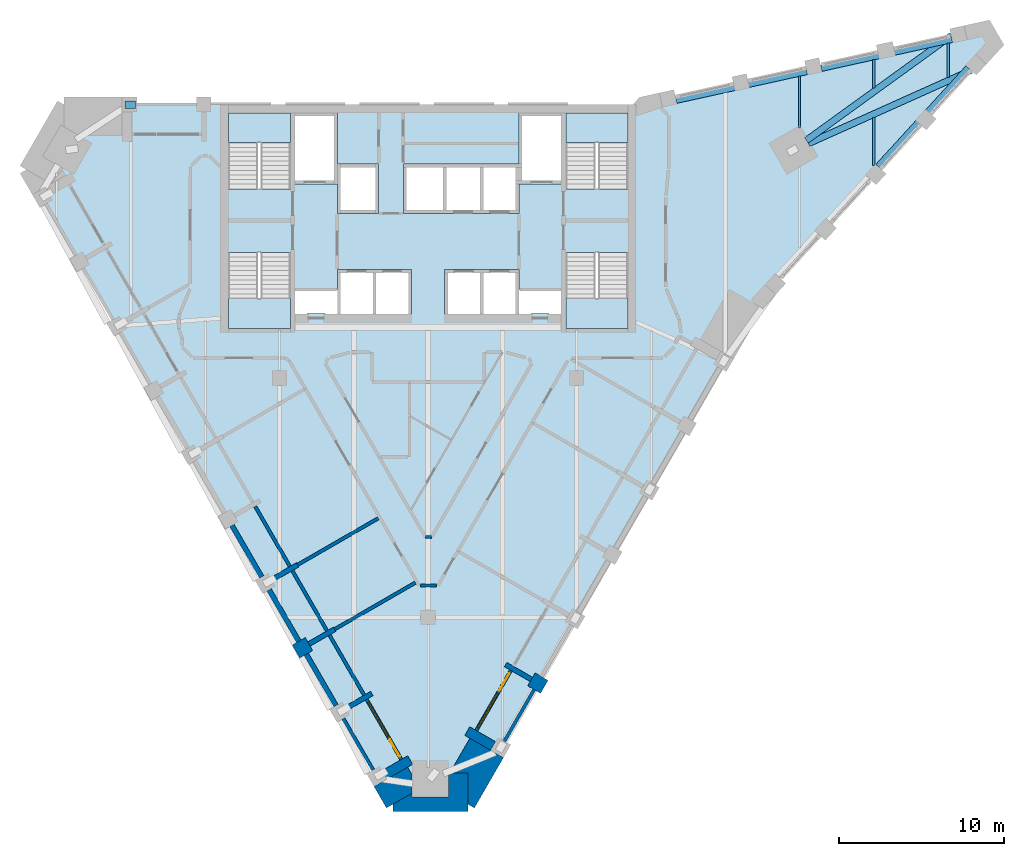
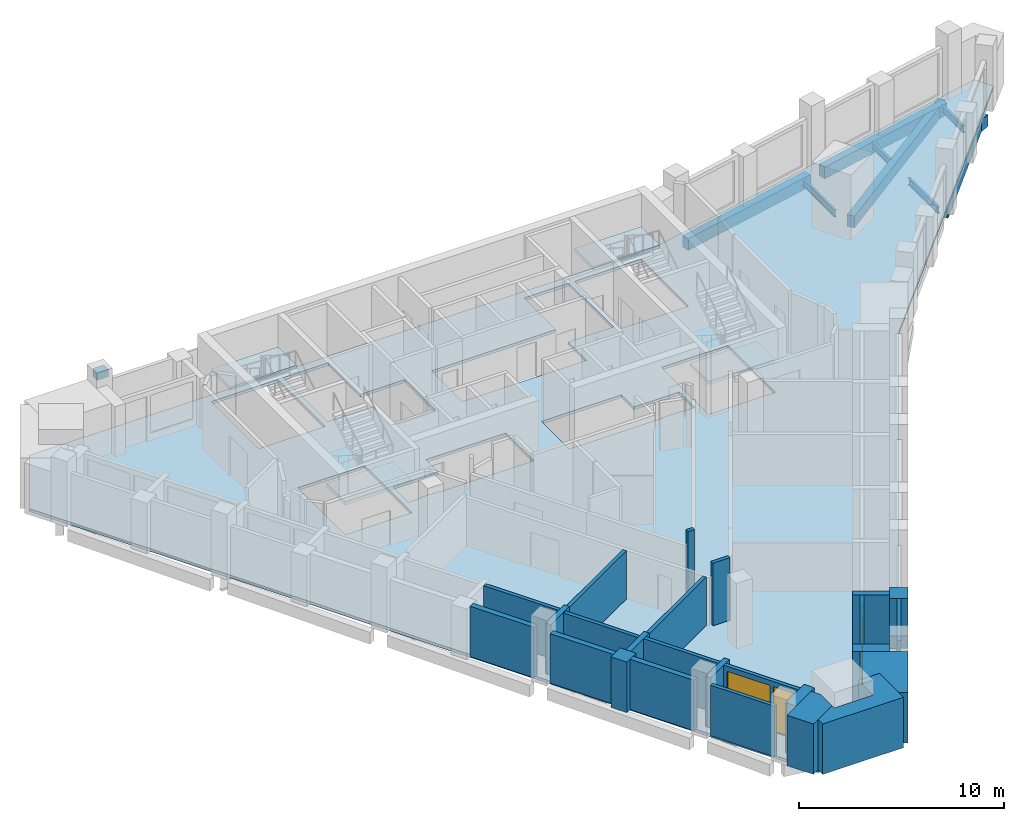
# One storey, part 2 of 8: 25 walls, 10 beams, 5 slabs, 2 doors, 2 windows, 4 openings, 4 elements without a shape of their own.
"""IFC4 building model written with IfcOpenShell, lengths in metres."""

from ifc_helpers import new_model, si_unit, direction, frame, frame_2d, origin, origin_2d, place, context, subcontext, project, spatial, polyline, rectangle, i_section, outline, extrude, material, layer, layer_set, material_profile, profile_set, type_object, element, fill, aggregate, save


model = new_model("IFC4")

# Units and contexts
model_context = context("Model", 3, precision=1e-05, world=origin(), true_north=direction((0.0, 1.0)))
body_context = subcontext(model_context, "Body", "Model", "MODEL_VIEW")
ifc_project = project(units=[si_unit("LENGTHUNIT", "METRE"), si_unit("AREAUNIT", "SQUARE_METRE"), si_unit("VOLUMEUNIT", "CUBIC_METRE"), si_unit("PLANEANGLEUNIT", "RADIAN"), si_unit("MASSUNIT", "GRAM", prefix="KILO")], contexts=[model_context])

# Site, building, storey
site_placement = place(None, origin())
site = spatial("IfcSite", under=ifc_project, at=site_placement, CompositionType="ELEMENT")
building_placement = place(site_placement, origin())
building = spatial("IfcBuilding", under=site, at=building_placement, Name="Calabash Gate Tower", CompositionType="ELEMENT")
storey_placement = place(building_placement, frame((0.0, 0.0, 267.699951171875)))
storey = spatial("IfcBuildingStorey", under=building, at=storey_placement, Name="L64", CompositionType="ELEMENT", Elevation=267.699951171875)

# Beams
ifc_material_1 = material(Name="Concrete C80/95", Category="concrete")
ifc_material_profile_1 = material_profile(ifc_material_1, rectangle(XDim=0.449951171875, YDim=0.449951171875, at=origin_2d()))
ifc_profile_set_1 = profile_set([ifc_material_profile_1], Name="Concrete C80/95")
beam_type_1 = type_object("IfcBeamType", Name="Column offset link RC 450x450 Concrete C80/95", PredefinedType="BEAM", material=ifc_profile_set_1)
beam_1_placement = place(storey_placement, frame((-18.35205078125, 19.052978515625, 3.504150390625), z_axis=(1.0, 0.0, 0.0), x_axis=(0.0, 1.0, 0.0)))
element("IfcBeam", 1, at=beam_1_placement, inside=storey, type_object=beam_type_1, Name="Column offset link L64 P31", PredefinedType="BEAM", context=body_context, shape_type="SweptSolid", body=[
    extrude(rectangle(XDim=0.449951171875, YDim=0.449951171875, at=origin_2d()), origin(), (0.0, 0.0, 1.0), 0.630126953125),
])
ifc_material_2 = material(Name="Concrete C50/60", Category="concrete")
ifc_material_profile_2 = material_profile(ifc_material_2, rectangle(XDim=0.39990234375, YDim=0.699951171875, at=origin_2d()))
ifc_profile_set_2 = profile_set([ifc_material_profile_2], Name="Concrete C50/60")
beam_type_2 = type_object("IfcBeamType", Name="Edge beam RC 400x700 Concrete C50/60", PredefinedType="BEAM", material=ifc_profile_set_2)
beam_2_placement = place(storey_placement, frame((27.260009765625, 15.29296875, -0.52001953125), z_axis=(0.67486440312, 0.737941757459, 0.0), x_axis=(-0.737941757459, 0.67486440312, 0.0)))
element("IfcBeam", 2, at=beam_2_placement, inside=storey, type_object=beam_type_2, Name="Edge beam L64 11", PredefinedType="BEAM", context=body_context, shape_type="SweptSolid", body=[
    extrude(rectangle(XDim=0.39990234375, YDim=0.699951171875, at=origin_2d()), origin(), (0.0, 0.0, 1.0), 8.100830078125),
])
beam_3_placement = place(storey_placement, frame((32.902099609375, 21.126953125, -0.52001953125), z_axis=(-0.91234672257, -0.409418438539, 0.0), x_axis=(0.409418438539, -0.91234672257, 0.0)))
element("IfcBeam", 3, at=beam_3_placement, inside=storey, type_object=beam_type_2, Name="Edge beam L64 12", PredefinedType="BEAM", context=body_context, shape_type="SweptSolid", body=[
    extrude(rectangle(XDim=0.39990234375, YDim=0.699951171875, at=origin_2d()), origin(), (0.0, 0.0, 1.0), 10.8271484375),
])
beam_4_placement = place(storey_placement, frame((22.9169921875, 16.8798828125, -0.52001953125), z_axis=(0.80994802029, 0.586501666177, 0.0), x_axis=(-0.586501666177, 0.80994802029, 0.0)))
element("IfcBeam", 4, at=beam_4_placement, inside=storey, type_object=beam_type_2, Name="Edge beam L64 13", PredefinedType="BEAM", context=body_context, shape_type="SweptSolid", body=[
    extrude(rectangle(XDim=0.39990234375, YDim=0.699951171875, at=origin_2d()), origin(), (0.0, 0.0, 1.0), 10.847412109375),
])
beam_5_placement = place(storey_placement, frame((31.72705078125, 23.006103515625, -0.52001953125), z_axis=(-0.976492437334, -0.215551663945, 0.0), x_axis=(0.215551663945, -0.976492437334, 0.0)))
element("IfcBeam", 5, at=beam_5_placement, inside=storey, type_object=beam_type_2, Name="Edge beam L64 14", PredefinedType="BEAM", context=body_context, shape_type="SweptSolid", body=[
    extrude(rectangle(XDim=0.39990234375, YDim=0.699951171875, at=origin_2d()), origin(), (0.0, 0.0, 1.0), 8.1005859375),
])
beam_6_placement = place(storey_placement, frame((22.93603515625, 21.06591796875, -0.52001953125), z_axis=(-0.976517152373, -0.215439669332, 0.0), x_axis=(0.215439669332, -0.976517152373, 0.0)))
element("IfcBeam", 6, at=beam_6_placement, inside=storey, type_object=beam_type_2, Name="Edge beam L64 15", PredefinedType="BEAM", context=body_context, shape_type="SweptSolid", body=[
    extrude(rectangle(XDim=0.39990234375, YDim=0.699951171875, at=origin_2d()), origin(), (0.0, 0.0, 1.0), 8.09912109375),
])
ifc_material_3 = material(Name="Steel ASTM A992 Gr50", Category="steel")
ifc_material_profile_3 = material_profile(ifc_material_3, i_section(OverallWidth=0.1396484375, OverallDepth=0.398681640625, WebThickness=0.00634765625, FlangeThickness=0.0087890625, FilletRadius=0.01025390625, at=origin_2d()))
ifc_profile_set_3 = profile_set([ifc_material_profile_3], Name="Steel ASTM A992 Gr50")
beam_type_3 = type_object("IfcBeamType", Name="Floor beam W16x26 ASTM A992 Gr50", PredefinedType="BEAM", material=ifc_profile_set_3)
beam_7_placement = place(storey_placement, frame((22.5, 17.635986328125, -0.368896484375), z_axis=(0.0, 1.0, 0.0), x_axis=(-1.0, 0.0, 0.0)))
element("IfcBeam", 7, at=beam_7_placement, inside=storey, type_object=beam_type_3, Name="Floor beam L64 17", PredefinedType="BEAM", context=body_context, shape_type="SweptSolid", body=[
    extrude(i_section(OverallWidth=0.1396484375, OverallDepth=0.398681640625, WebThickness=0.00634765625, FlangeThickness=0.0087890625, FilletRadius=0.01025390625, at=origin_2d()), origin(), (0.0, 0.0, 1.0), 3.1611328125),
])
beam_8_placement = place(storey_placement, frame((27.0, 15.35693359375, -0.368896484375), z_axis=(0.0, 1.0, 0.0), x_axis=(-1.0, 0.0, 0.0)))
element("IfcBeam", 8, at=beam_8_placement, inside=storey, type_object=beam_type_3, Name="Floor beam L64 18", PredefinedType="BEAM", context=body_context, shape_type="SweptSolid", body=[
    extrude(i_section(OverallWidth=0.1396484375, OverallDepth=0.398681640625, WebThickness=0.00634765625, FlangeThickness=0.0087890625, FilletRadius=0.01025390625, at=origin_2d()), origin(), (0.0, 0.0, 1.0), 2.923095703125),
])
beam_9_placement = place(storey_placement, frame((27.0, 20.052001953125, -0.368896484375), z_axis=(0.0, 1.0, 0.0), x_axis=(-1.0, 0.0, 0.0)))
element("IfcBeam", 9, at=beam_9_placement, inside=storey, type_object=beam_type_3, Name="Floor beam L64 19", PredefinedType="BEAM", context=body_context, shape_type="SweptSolid", body=[
    extrude(i_section(OverallWidth=0.1396484375, OverallDepth=0.398681640625, WebThickness=0.00634765625, FlangeThickness=0.0087890625, FilletRadius=0.01025390625, at=origin_2d()), origin(), (0.0, 0.0, 1.0), 1.738037109375),
])
beam_10_placement = place(storey_placement, frame((31.5, 20.693115234375, -0.368896484375), z_axis=(0.0, 1.0, 0.0), x_axis=(-1.0, 0.0, 0.0)))
element("IfcBeam", 10, at=beam_10_placement, inside=storey, type_object=beam_type_3, Name="Floor beam L64 20", PredefinedType="BEAM", context=body_context, shape_type="SweptSolid", body=[
    extrude(i_section(OverallWidth=0.1396484375, OverallDepth=0.398681640625, WebThickness=0.00634765625, FlangeThickness=0.0087890625, FilletRadius=0.01025390625, at=origin_2d()), origin(), (0.0, 0.0, 1.0), 2.08984375),
])

# Slab
ifc_material_4 = material(Name="Concrete C40/50", Category="concrete")
ifc_layer_1 = layer(ifc_material_4, 0.169921875)
ifc_layer_set_1 = layer_set([ifc_layer_1], Name="Composite floor slab 170 Concrete C40/50")
slab_type_1 = type_object("IfcSlabType", Name="Composite floor slab 170 Concrete C40/50", PredefinedType="FLOOR", material=ifc_layer_set_1)
slab_1_placement = place(storey_placement, frame((0.0, 0.0, -0.169921875)))
element("IfcSlab", 11, at=slab_1_placement, inside=storey, type_object=slab_type_1, Name="Floor slab L64", PredefinedType="FLOOR", context=body_context, shape_type="SweptSolid", body=[
    extrude(outline(polyline([(-24.33251953125, 15.11376953125), (-22.058349609375, 19.052490234375), (12.88134765625, 19.052490234375), (33.783935546875, 23.664794921875), (34.326904296875, 22.724365234375), (19.88134765625, 6.92822265625), (2.411376953125, -23.33056640625), (-2.136474609375, -23.33056640625), (-24.33251953125, 15.11376953125)]), holes=[polyline([(-1.0, 9.052490234375), (-3.25, 9.052490234375), (-5.5, 9.052490234375), (-5.5, 7.8525390625), (-8.050048828125, 7.8525390625), (-8.050048828125, 6.3525390625), (-7.324951171875, 6.3525390625), (-7.324951171875, 6.402587890625), (-6.22509765625, 6.402587890625), (-6.22509765625, 6.3525390625), (-5.5, 6.3525390625), (-3.25, 6.3525390625), (-1.0, 6.3525390625), (-1.0, 9.052490234375)]), polyline([(3.25, 6.3525390625), (5.5, 6.3525390625), (6.22509765625, 6.3525390625), (6.22509765625, 6.402587890625), (7.324951171875, 6.402587890625), (7.324951171875, 6.3525390625), (8.050048828125, 6.3525390625), (8.050048828125, 7.8525390625), (5.5, 7.8525390625), (5.5, 9.052490234375), (3.25, 9.052490234375), (1.0, 9.052490234375), (1.0, 6.3525390625), (3.25, 6.3525390625)]), polyline([(-5.5, 14.252685546875), (-5.5, 12.45263671875), (-3.0, 12.45263671875), (-3.0, 15.45263671875), (-5.5, 15.45263671875), (-5.5, 18.552490234375), (-8.050048828125, 18.552490234375), (-8.050048828125, 14.252685546875), (-5.5, 14.252685546875)]), polyline([(1.0, 15.45263671875), (-1.5, 15.45263671875), (-1.5, 12.45263671875), (1.0, 12.45263671875), (3.25, 12.45263671875), (5.5, 12.45263671875), (5.5, 14.252685546875), (8.050048828125, 14.252685546875), (8.050048828125, 18.552490234375), (5.5, 18.552490234375), (5.5, 15.45263671875), (3.25, 15.45263671875), (1.0, 15.45263671875)]), polyline([(-8.35009765625, 18.552490234375), (-12.10009765625, 18.552490234375), (-12.10009765625, 13.95263671875), (-8.35009765625, 13.95263671875), (-8.35009765625, 18.552490234375)]), polyline([(-12.10009765625, 10.1025390625), (-12.10009765625, 5.502685546875), (-8.35009765625, 5.502685546875), (-8.35009765625, 10.1025390625), (-12.10009765625, 10.1025390625)]), polyline([(8.35009765625, 13.95263671875), (12.10009765625, 13.95263671875), (12.10009765625, 18.552490234375), (8.35009765625, 18.552490234375), (8.35009765625, 13.95263671875)]), polyline([(12.10009765625, 5.502685546875), (12.10009765625, 10.1025390625), (8.35009765625, 10.1025390625), (8.35009765625, 5.502685546875), (12.10009765625, 5.502685546875)])]), origin(), (0.0, 0.0, 1.0), 0.169921875),
])

# Stair, slab
ifc_material_5 = material(Name="Concrete C40/50", Category="concrete")
stair_type = type_object("IfcStairType", Name="Exit stair 22 risers of 177.3 mm", PredefinedType="HALF_TURN_STAIR", material=ifc_material_5)
stair_1_placement = place(storey_placement, origin())
stair_1 = element("IfcStair", 12, at=stair_1_placement, inside=storey, type_object=stair_type, Name="L64 Exit stair ST1", PredefinedType="HALF_TURN_STAIR")
ifc_material_6 = material(Name="Concrete C40/50", Category="concrete")
ifc_layer_2 = layer(ifc_material_6, 0.199951171875)
ifc_layer_set_2 = layer_set([ifc_layer_2], Name="Stair landing SL200")
slab_type_2 = type_object("IfcSlabType", Name="Stair landing SL200", PredefinedType="LANDING", material=ifc_layer_set_2)
slab_2_placement = place(storey_placement, frame((0.0, 0.0, 1.75)))
slab_2 = element("IfcSlab", 13, at=slab_2_placement, type_object=slab_type_2, Name="ST1 landing 1", PredefinedType="LANDING", context=body_context, shape_type="SweptSolid", body=[
    extrude(outline(polyline([(-8.35009765625, 16.74267578125), (-8.35009765625, 18.552490234375), (-12.10009765625, 18.552490234375), (-12.10009765625, 16.74267578125), (-8.35009765625, 16.74267578125)])), origin(), (0.0, 0.0, 1.0), 0.199951171875),
])
aggregate(stair_1, [slab_2])

stair_2_placement = place(storey_placement, origin())
stair_2 = element("IfcStair", 14, at=stair_2_placement, inside=storey, type_object=stair_type, Name="L64 Exit stair ST2", PredefinedType="HALF_TURN_STAIR")
slab_3_placement = place(storey_placement, frame((0.0, 0.0, 1.75)))
slab_3 = element("IfcSlab", 15, at=slab_3_placement, type_object=slab_type_2, Name="ST2 landing 1", PredefinedType="LANDING", context=body_context, shape_type="SweptSolid", body=[
    extrude(outline(polyline([(-12.10009765625, 7.3125), (-12.10009765625, 5.502685546875), (-8.35009765625, 5.502685546875), (-8.35009765625, 7.3125), (-12.10009765625, 7.3125)])), origin(), (0.0, 0.0, 1.0), 0.199951171875),
])
aggregate(stair_2, [slab_3])

stair_3_placement = place(storey_placement, origin())
stair_3 = element("IfcStair", 16, at=stair_3_placement, inside=storey, type_object=stair_type, Name="L64 Exit stair ST3", PredefinedType="HALF_TURN_STAIR")
slab_4_placement = place(storey_placement, frame((0.0, 0.0, 1.75)))
slab_4 = element("IfcSlab", 17, at=slab_4_placement, type_object=slab_type_2, Name="ST3 landing 1", PredefinedType="LANDING", context=body_context, shape_type="SweptSolid", body=[
    extrude(outline(polyline([(12.10009765625, 16.74267578125), (12.10009765625, 18.552490234375), (8.35009765625, 18.552490234375), (8.35009765625, 16.74267578125), (12.10009765625, 16.74267578125)])), origin(), (0.0, 0.0, 1.0), 0.199951171875),
])
aggregate(stair_3, [slab_4])

stair_4_placement = place(storey_placement, origin())
stair_4 = element("IfcStair", 18, at=stair_4_placement, inside=storey, type_object=stair_type, Name="L64 Exit stair ST4", PredefinedType="HALF_TURN_STAIR")
slab_5_placement = place(storey_placement, frame((0.0, 0.0, 1.75)))
slab_5 = element("IfcSlab", 19, at=slab_5_placement, type_object=slab_type_2, Name="ST4 landing 1", PredefinedType="LANDING", context=body_context, shape_type="SweptSolid", body=[
    extrude(outline(polyline([(8.35009765625, 7.3125), (8.35009765625, 5.502685546875), (12.10009765625, 5.502685546875), (12.10009765625, 7.3125), (8.35009765625, 7.3125)])), origin(), (0.0, 0.0, 1.0), 0.199951171875),
])
aggregate(stair_4, [slab_5])

# Walls
ifc_material_7 = material(Name="Terracotta brick masonry, exposed face", Category="masonry")
ifc_layer_3 = layer(ifc_material_7, 2.35009765625)
ifc_layer_set_3 = layer_set([ifc_layer_3], Name="Brick corner mass wall 2350")
wall_type_1 = type_object("IfcWallType", Name="Brick corner mass wall 2350", PredefinedType="SOLIDWALL", material=ifc_layer_set_3)
wall_1_placement = place(storey_placement, origin())
element("IfcWall", 20, at=wall_1_placement, inside=storey, type_object=wall_type_1, Name="Brick corner pier S18 1a", PredefinedType="SOLIDWALL", context=body_context, shape_type="SweptSolid", body=[
    extrude(outline(polyline([(-1.239013671875, -21.085205078125), (-3.274169921875, -22.26025390625), (-2.5263671875, -23.5556640625), (-0.962890625, -22.653076171875), (-0.962890625, -21.5634765625), (-1.239013671875, -21.085205078125)])), origin(), (0.0, 0.0, 1.0), 3.0),
])
wall_2_placement = place(storey_placement, origin())
element("IfcWall", 21, at=wall_2_placement, inside=storey, type_object=wall_type_1, Name="Brick corner pier S18 1b", PredefinedType="SOLIDWALL", context=body_context, shape_type="SweptSolid", body=[
    extrude(outline(polyline([(-0.962890625, -22.881103515625), (-0.962890625, -22.653076171875), (-2.136474609375, -23.33056640625), (-2.136474609375, -23.78076171875), (2.411376953125, -23.78076171875), (2.411376953125, -21.4306640625), (1.237060546875, -21.4306640625), (1.237060546875, -22.881103515625), (-0.962890625, -22.881103515625)])), origin(), (0.0, 0.0, 1.0), 3.0),
])
wall_3_placement = place(storey_placement, origin())
element("IfcWall", 22, at=wall_3_placement, inside=storey, type_object=wall_type_1, Name="Brick corner pier S18 1c", PredefinedType="SOLIDWALL", context=body_context, shape_type="SweptSolid", body=[
    extrude(outline(polyline([(4.56103515625, -20.507080078125), (2.526123046875, -19.332275390625), (1.314453125, -21.4306640625), (2.411376953125, -21.4306640625), (2.411376953125, -23.33056640625), (2.80126953125, -23.5556640625), (4.56103515625, -20.507080078125)])), origin(), (0.0, 0.0, 1.0), 3.0),
])
ifc_material_8 = material(Name="Terracotta brick masonry, exposed face", Category="masonry")
ifc_layer_4 = layer(ifc_material_8, 0.89990234375)
ifc_layer_set_4 = layer_set([ifc_layer_4], Name="Brick end wall 900")
wall_type_2 = type_object("IfcWallType", Name="Brick end wall 900", PredefinedType="SOLIDWALL", material=ifc_layer_set_4)
wall_4_placement = place(storey_placement, frame((-7.999267578125, -14.076171875, 0.0), z_axis=(0.0, 0.0, 1.0), x_axis=(0.866081705922, 0.499902469156, 0.0)))
element("IfcWall", 23, at=wall_4_placement, inside=storey, type_object=wall_type_2, Name="Brick pier S18 SW0.7", PredefinedType="SOLIDWALL", context=body_context, shape_type="SweptSolid", body=[
    extrude(rectangle(XDim=0.900146484375, YDim=0.89990234375, at=frame_2d((0.4501953125, 0.0))), origin(), (0.0, 0.0, 1.0), 3.0),
])
wall_5_placement = place(storey_placement, frame((6.2568359375, -15.7705078125, 0.0), z_axis=(0.0, 0.0, 1.0), x_axis=(0.866013897511, -0.50001992892, 0.0)))
element("IfcWall", 24, at=wall_5_placement, inside=storey, type_object=wall_type_2, Name="Brick pier S18 SE2.1", PredefinedType="SOLIDWALL", context=body_context, shape_type="SweptSolid", body=[
    extrude(rectangle(XDim=0.89990234375, YDim=0.89990234375, at=frame_2d((0.449951171875, 0.0))), origin(), (0.0, 0.0, 1.0), 3.0),
])
ifc_material_9 = material(Name="Terracotta brick masonry, exposed face", Category="masonry")
ifc_layer_5 = layer(ifc_material_9, 0.300048828125)
ifc_layer_set_5 = layer_set([ifc_layer_5], Name="Brick infill panel wall 300")
wall_type_3 = type_object("IfcWallType", Name="Brick infill panel wall 300", PredefinedType="SOLIDWALL", material=ifc_layer_set_5)
wall_6_placement = place(storey_placement, frame((-11.884521484375, -6.44677734375, 0.0), z_axis=(0.0, 0.0, 1.0), x_axis=(0.500012057535, -0.866018442252, 0.0)))
element("IfcWall", 25, at=wall_6_placement, inside=storey, type_object=wall_type_3, Name="Brick panel S18 SW0.6", PredefinedType="SOLIDWALL", context=body_context, shape_type="SweptSolid", body=[
    extrude(rectangle(XDim=3.60009765625, YDim=0.300048828125, at=frame_2d((1.800048828125, 0.0))), origin(), (0.0, 0.0, 1.0), 3.0),
])
wall_7_placement = place(storey_placement, frame((-9.634521484375, -10.34375, 0.0), z_axis=(0.0, 0.0, 1.0), x_axis=(0.500012057535, -0.866018442252, 0.0)))
element("IfcWall", 26, at=wall_7_placement, inside=storey, type_object=wall_type_3, Name="Brick panel S18 SW0.7", PredefinedType="SOLIDWALL", context=body_context, shape_type="SweptSolid", body=[
    extrude(rectangle(XDim=3.60009765625, YDim=0.300048828125, at=frame_2d((1.800048828125, 0.0))), origin(), (0.0, 0.0, 1.0), 2.9501953125),
])
wall_8_placement = place(storey_placement, frame((-5.584716796875, -17.358154296875, 0.0), z_axis=(0.0, 0.0, 1.0), x_axis=(-0.50001992892, 0.866013897511, 0.0)))
element("IfcWall", 27, at=wall_8_placement, inside=storey, type_object=wall_type_3, Name="Brick panel S18 SW0.8", PredefinedType="SOLIDWALL", context=body_context, shape_type="SweptSolid", body=[
    extrude(rectangle(XDim=3.599365234375, YDim=0.300048828125, at=frame_2d((1.7998046875, 0.0))), origin(), (0.0, 0.0, 1.0), 3.0),
])
ifc_material_10 = material(Name="Terracotta brick masonry, exposed face", Category="masonry")
ifc_layer_6 = layer(ifc_material_10, 0.300048828125)
ifc_layer_set_6 = layer_set([ifc_layer_6], Name="Brick loggia cheek wall 300")
wall_type_4 = type_object("IfcWallType", Name="Brick loggia cheek wall 300", PredefinedType="SOLIDWALL", material=ifc_layer_set_6)
for number, where, z_axis, x_axis, name in (
    (28, (-7.910888671875, -8.8291015625, 0.0), (0.0, 0.0, 1.0), (-0.866047807691, -0.499961193289, 0.0), "Loggia cheek S18 SW0.6"),
    (29, (-7.2197265625, -13.626220703125, 0.0), (0.0, 0.0, 1.0), (0.866047807691, 0.499961193289, 0.0), "Loggia cheek S18 SW0.7"),
    (30, (-4.9697265625, -17.5234375, 0.0), (0.0, 0.0, 1.0), (0.865989075817, 0.500062916607, 0.0), "Loggia cheek S18 SW0.8"),
):
    element("IfcWall", number, at=place(storey_placement, frame(where, z_axis=z_axis, x_axis=x_axis)), inside=storey, type_object=wall_type_4, Name=name, PredefinedType="SOLIDWALL", context=body_context, shape_type="SweptSolid", body=[
        extrude(rectangle(XDim=1.800048828125, YDim=0.300048828125, at=frame_2d((0.89990234375, 0.0))), origin(), (0.0, 0.0, 1.0), 3.0),
    ])
for number, where, z_axis, x_axis, name in (
    (31, (-2.644775390625, -21.55029296875, 0.0), (0.0, 0.0, 1.0), (0.866047807691, 0.499961193289, 0.0), "Loggia cheek S18 SW0.9"),
    (32, (3.931640625, -19.79736328125, 0.0), (0.0, 0.0, 1.0), (-0.866047807691, 0.499961193289, 0.0), "Loggia cheek S18 SE2.0"),
):
    element("IfcWall", number, at=place(storey_placement, frame(where, z_axis=z_axis, x_axis=x_axis)), inside=storey, type_object=wall_type_4, Name=name, PredefinedType="SOLIDWALL", context=body_context, shape_type="SweptSolid", body=[
        extrude(rectangle(XDim=1.800048828125, YDim=0.60009765625, at=frame_2d((0.89990234375, 0.0))), origin(), (0.0, 0.0, 1.0), 3.0),
    ])
wall_9_placement = place(storey_placement, frame((4.697998046875, -14.870361328125, 0.0), z_axis=(0.0, 0.0, 1.0), x_axis=(0.865989075817, -0.500062916607, 0.0)))
element("IfcWall", 33, at=wall_9_placement, inside=storey, type_object=wall_type_4, Name="Loggia cheek S18 SE2.1", PredefinedType="SOLIDWALL", context=body_context, shape_type="SweptSolid", body=[
    extrude(rectangle(XDim=1.800048828125, YDim=0.300048828125, at=frame_2d((0.89990234375, 0.0))), origin(), (0.0, 0.0, 1.0), 3.0),
])
ifc_material_11 = material(Name="Gypsum board on steel studs, mineral wool", Category="steel")
ifc_layer_7 = layer(ifc_material_11, 0.199951171875)
ifc_layer_set_7 = layer_set([ifc_layer_7], Name="Partition 200 gypsum board EI 60")
wall_type_5 = type_object("IfcWallType", Name="Partition 200 gypsum board EI 60", PredefinedType="PARTITIONING", material=ifc_layer_set_7)
wall_10_placement = place(storey_placement, frame((-5.66064453125, -12.7265625, 0.0), z_axis=(0.0, 0.0, 1.0), x_axis=(0.866171915947, 0.499746147583, 0.0)))
element("IfcWall", 34, at=wall_10_placement, inside=storey, type_object=wall_type_5, Name="Partition", PredefinedType="PARTITIONING", context=body_context, shape_type="SweptSolid", body=[
    extrude(rectangle(XDim=5.6494140625, YDim=0.199951171875, at=frame_2d((2.82470703125, 0.0))), origin(), (0.0, 0.0, 1.0), 2.884033203125),
])
wall_11_placement = place(storey_placement, frame((-0.449462890625, -10.079833984375, 0.0), z_axis=(0.0, 0.0, 1.0), x_axis=(0.999999966511, 0.000258799163, 0.0)))
element("IfcWall", 35, at=wall_11_placement, inside=storey, type_object=wall_type_5, Name="Partition", PredefinedType="PARTITIONING", context=body_context, shape_type="SweptSolid", body=[
    extrude(rectangle(XDim=0.943359375, YDim=0.199951171875, at=frame_2d((0.4716796875, 0.0))), origin(), (0.0, 0.0, 1.0), 3.72998046875),
])
wall_12_placement = place(storey_placement, frame((-0.1669921875, -7.13818359375, 0.0), z_axis=(0.0, 0.0, 1.0), x_axis=(0.999996687272, -0.002573994047, 0.0)))
element("IfcWall", 36, at=wall_12_placement, inside=storey, type_object=wall_type_5, Name="Partition", PredefinedType="PARTITIONING", context=body_context, shape_type="SweptSolid", body=[
    extrude(rectangle(XDim=0.37939453125, YDim=0.199951171875, at=frame_2d((0.189697265625, 0.0))), origin(), (0.0, 0.0, 1.0), 3.72998046875),
])
wall_13_placement = place(storey_placement, frame((-7.910888671875, -8.829345703125, 0.0), z_axis=(0.0, 0.0, 1.0), x_axis=(0.866174794958, 0.49974115758, 0.0)))
element("IfcWall", 37, at=wall_13_placement, inside=storey, type_object=wall_type_5, Name="Partition", PredefinedType="PARTITIONING", context=body_context, shape_type="SweptSolid", body=[
    extrude(rectangle(XDim=5.64990234375, YDim=0.199951171875, at=frame_2d((2.824951171875, 0.0))), origin(), (0.0, 0.0, 1.0), 2.884033203125),
])
ifc_material_12 = material(Name="Terracotta brick masonry, perforated", Category="masonry")
ifc_layer_8 = layer(ifc_material_12, 0.199951171875)
ifc_layer_set_8 = layer_set([ifc_layer_8], Name="Terracotta jaali screen B")
wall_type_6 = type_object("IfcWallType", Name="Terracotta jaali screen B", PredefinedType="SOLIDWALL", material=ifc_layer_set_8)
wall_14_placement = place(storey_placement, origin())
element("IfcWall", 38, at=wall_14_placement, inside=storey, type_object=wall_type_6, Name="SCREEN B S18 SW0.9", PredefinedType="SOLIDWALL", context=body_context, shape_type="SweptSolid", body=[
    extrude(outline(polyline([(-5.22119140625, -18.18798828125), (-3.42236328125, -21.3037109375), (-3.2490234375, -21.20361328125), (-5.0478515625, -18.088134765625), (-5.22119140625, -18.18798828125)])), origin(), (0.0, 0.0, 1.0), 3.0),
])
wall_15_placement = place(storey_placement, frame((4.62158203125, -19.5029296875, 0.0), z_axis=(0.0, 0.0, 1.0), x_axis=(0.499961193289, 0.866047807691, 0.0)))
element("IfcWall", 39, at=wall_15_placement, inside=storey, type_object=wall_type_6, Name="SCREEN B S18 SE2.1", PredefinedType="SOLIDWALL", context=body_context, shape_type="SweptSolid", body=[
    extrude(rectangle(XDim=3.599853515625, YDim=0.199951171875, at=frame_2d((1.7998046875, 0.0))), origin(), (0.0, 0.0, 1.0), 3.0),
])
ifc_material_13 = material(Name="Aluminium framed window wall with insulated spandrel", Category="aluminium")
ifc_layer_9 = layer(ifc_material_13, 0.199951171875)
ifc_layer_set_9 = layer_set([ifc_layer_9], Name="Window wall 200")
wall_type_7 = type_object("IfcWallType", Name="Window wall 200", PredefinedType="ELEMENTEDWALL", material=ifc_layer_set_9)
wall_16_placement = place(storey_placement, frame((-10.4755859375, -5.286865234375, 0.0), z_axis=(0.0, 0.0, 1.0), x_axis=(0.49998411664, -0.866034573852, 0.0)))
element("IfcWall", 40, at=wall_16_placement, inside=storey, type_object=wall_type_7, Name="Window wall S18 SW0.6", PredefinedType="ELEMENTEDWALL", context=body_context, shape_type="SweptSolid", body=[
    extrude(rectangle(XDim=4.199951171875, YDim=0.199951171875, at=frame_2d((2.10009765625, 0.0))), origin(), (0.0, 0.0, 1.0), 3.0),
])
wall_17_placement = place(storey_placement, frame((-8.2255859375, -9.18408203125, 0.0), z_axis=(0.0, 0.0, 1.0), x_axis=(0.49998411664, -0.866034573852, 0.0)))
element("IfcWall", 41, at=wall_17_placement, inside=storey, type_object=wall_type_7, Name="Window wall S18 SW0.7", PredefinedType="ELEMENTEDWALL", context=body_context, shape_type="SweptSolid", body=[
    extrude(rectangle(XDim=4.199951171875, YDim=0.199951171875, at=frame_2d((2.10009765625, 0.0))), origin(), (0.0, 0.0, 1.0), 2.9501953125),
])
wall_18_placement = place(storey_placement, frame((-5.9755859375, -13.0810546875, 0.0), z_axis=(0.0, 0.0, 1.0), x_axis=(0.499958946799, -0.866049104564, 0.0)))
element("IfcWall", 42, at=wall_18_placement, inside=storey, type_object=wall_type_7, Name="Window wall S18 SW0.8", PredefinedType="ELEMENTEDWALL", context=body_context, shape_type="SweptSolid", body=[
    extrude(rectangle(XDim=4.199951171875, YDim=0.199951171875, at=frame_2d((2.10009765625, 0.0))), origin(), (0.0, 0.0, 1.0), 3.0),
])

# Wall, openings, door, window
wall_19_placement = place(storey_placement, frame((-3.7255859375, -16.978271484375, 0.0), z_axis=(0.0, 0.0, 1.0), x_axis=(0.49998411664, -0.866034573852, 0.0)))
wall_19 = element("IfcWall", 43, at=wall_19_placement, inside=storey, type_object=wall_type_7, Name="Window wall S18 SW0.9", PredefinedType="ELEMENTEDWALL", context=body_context, shape_type="SweptSolid", body=[
    extrude(rectangle(XDim=4.199951171875, YDim=0.199951171875, at=frame_2d((2.10009765625, 0.0))), origin(), (0.0, 0.0, 1.0), 3.0),
])
opening_1_placement = place(wall_19_placement, frame((0.199951171875, 0.0, 0.449951171875)))
opening_1 = element("IfcOpeningElement", 44, at=opening_1_placement, cuts=wall_19, Name="Opening OW1", PredefinedType="OPENING", context=body_context, shape_type="SweptSolid", body=[
    extrude(rectangle(XDim=2.39990234375, YDim=2.25, at=frame_2d((1.199951171875, 1.125))), frame((0.0, 0.10986328125, 0.0), z_axis=(0.0, -1.0, 0.0), x_axis=(1.0, 0.0, 0.0)), (0.0, 0.0, 1.0), 0.219970703125),
])
opening_2_placement = place(wall_19_placement, frame((2.800048828125, 0.0, 0.0)))
opening_2 = element("IfcOpeningElement", 45, at=opening_2_placement, cuts=wall_19, Name="Opening O10-017", PredefinedType="OPENING", context=body_context, shape_type="SweptSolid", body=[
    extrude(rectangle(XDim=1.199951171875, YDim=2.699951171875, at=frame_2d((0.60009765625, 1.35009765625))), frame((0.0, 0.10986328125, 0.0), z_axis=(0.0, -1.0, 0.0), x_axis=(1.0, 0.0, 0.0)), (0.0, 0.0, 1.0), 0.219970703125),
])
ifc_material_14 = material(Name="Anodised aluminium frame, bronze finish, impact-rated laminated clear glazing", Category="aluminium")
door_type = type_object("IfcDoorType", Name="Loggia door DO1 1200x2700", OperationType="SLIDING_TO_LEFT", PredefinedType="DOOR", material=ifc_material_14)
door_1_placement = place(opening_2_placement, origin())
door_1 = element("IfcDoor", 46, at=door_1_placement, inside=storey, type_object=door_type, Name="Loggia door S18 SW0.9", OperationType="SINGLE_SWING_LEFT", OverallHeight=2.699951171875, OverallWidth=1.199951171875, PredefinedType="DOOR", context=body_context, shape_type="SweptSolid", body=[
    extrude(rectangle(XDim=1.199951171875, YDim=2.699951171875, at=frame_2d((0.60009765625, 1.35009765625))), frame((0.0, 0.02490234375, 0.0), z_axis=(0.0, -1.0, 0.0), x_axis=(1.0, 0.0, 0.0)), (0.0, 0.0, 1.0), 0.050048828125),
])
fill(opening_2, door_1)
ifc_material_15 = material(Name="Anodised aluminium frame, bronze finish, impact-rated laminated clear glazing", Category="aluminium")
window_type = type_object("IfcWindowType", Name="Window OW1 2400x2250", PartitioningType="DOUBLE_PANEL_VERTICAL", PredefinedType="WINDOW", material=ifc_material_15)
window_1_placement = place(opening_1_placement, origin())
window_1 = element("IfcWindow", 47, at=window_1_placement, inside=storey, type_object=window_type, Name="Window OW1 S18 SW0.9", OverallHeight=2.25, OverallWidth=2.39990234375, PartitioningType="SINGLE_PANEL", PredefinedType="WINDOW", context=body_context, shape_type="SweptSolid", body=[
    extrude(rectangle(XDim=2.39990234375, YDim=2.25, at=frame_2d((1.199951171875, 1.125))), frame((0.0, 0.030029296875, 0.0), z_axis=(0.0, -1.0, 0.0), x_axis=(1.0, 0.0, 0.0)), (0.0, 0.0, 1.0), 0.06005859375),
])
fill(opening_1, window_1)

wall_20_placement = place(storey_placement, frame((2.91259765625, -18.86279296875, 0.0), z_axis=(0.0, 0.0, 1.0), x_axis=(0.500002543286, 0.866023935413, 0.0)))
wall_20 = element("IfcWall", 48, at=wall_20_placement, inside=storey, type_object=wall_type_7, Name="Window wall S18 SE2.1", PredefinedType="ELEMENTEDWALL", context=body_context, shape_type="SweptSolid", body=[
    extrude(rectangle(XDim=4.2001953125, YDim=0.199951171875, at=frame_2d((2.10009765625, 0.0))), origin(), (0.0, 0.0, 1.0), 3.0),
])
opening_3_placement = place(wall_20_placement, frame((0.199951171875, 0.0, 0.449951171875)))
opening_3 = element("IfcOpeningElement", 49, at=opening_3_placement, cuts=wall_20, Name="Opening OW1", PredefinedType="OPENING", context=body_context, shape_type="SweptSolid", body=[
    extrude(rectangle(XDim=2.39990234375, YDim=2.25, at=frame_2d((1.199951171875, 1.125))), frame((0.0, 0.10986328125, 0.0), z_axis=(0.0, -1.0, 0.0), x_axis=(1.0, 0.0, 0.0)), (0.0, 0.0, 1.0), 0.219970703125),
])
opening_4_placement = place(wall_20_placement, frame((2.800048828125, 0.0, 0.0)))
opening_4 = element("IfcOpeningElement", 50, at=opening_4_placement, cuts=wall_20, Name="Opening O10-014", PredefinedType="OPENING", context=body_context, shape_type="SweptSolid", body=[
    extrude(rectangle(XDim=1.199951171875, YDim=2.699951171875, at=frame_2d((0.60009765625, 1.35009765625))), frame((0.0, 0.10986328125, 0.0), z_axis=(0.0, -1.0, 0.0), x_axis=(1.0, 0.0, 0.0)), (0.0, 0.0, 1.0), 0.219970703125),
])
door_2_placement = place(opening_4_placement, origin())
door_2 = element("IfcDoor", 51, at=door_2_placement, inside=storey, type_object=door_type, Name="Loggia door S18 SE2.1", OperationType="SINGLE_SWING_LEFT", OverallHeight=2.699951171875, OverallWidth=1.199951171875, PredefinedType="DOOR", context=body_context, shape_type="SweptSolid", body=[
    extrude(rectangle(XDim=1.199951171875, YDim=2.699951171875, at=frame_2d((0.60009765625, 1.35009765625))), frame((0.0, 0.02490234375, 0.0), z_axis=(0.0, -1.0, 0.0), x_axis=(1.0, 0.0, 0.0)), (0.0, 0.0, 1.0), 0.050048828125),
])
fill(opening_4, door_2)
window_2_placement = place(opening_3_placement, origin())
window_2 = element("IfcWindow", 52, at=window_2_placement, inside=storey, type_object=window_type, Name="Window OW1 S18 SE2.1", OverallHeight=2.25, OverallWidth=2.39990234375, PartitioningType="SINGLE_PANEL", PredefinedType="WINDOW", context=body_context, shape_type="SweptSolid", body=[
    extrude(rectangle(XDim=2.39990234375, YDim=2.25, at=frame_2d((1.199951171875, 1.125))), frame((0.0, 0.030029296875, 0.0), z_axis=(0.0, -1.0, 0.0), x_axis=(1.0, 0.0, 0.0)), (0.0, 0.0, 1.0), 0.06005859375),
])
fill(opening_3, window_2)

save(model, "model.ifc")
